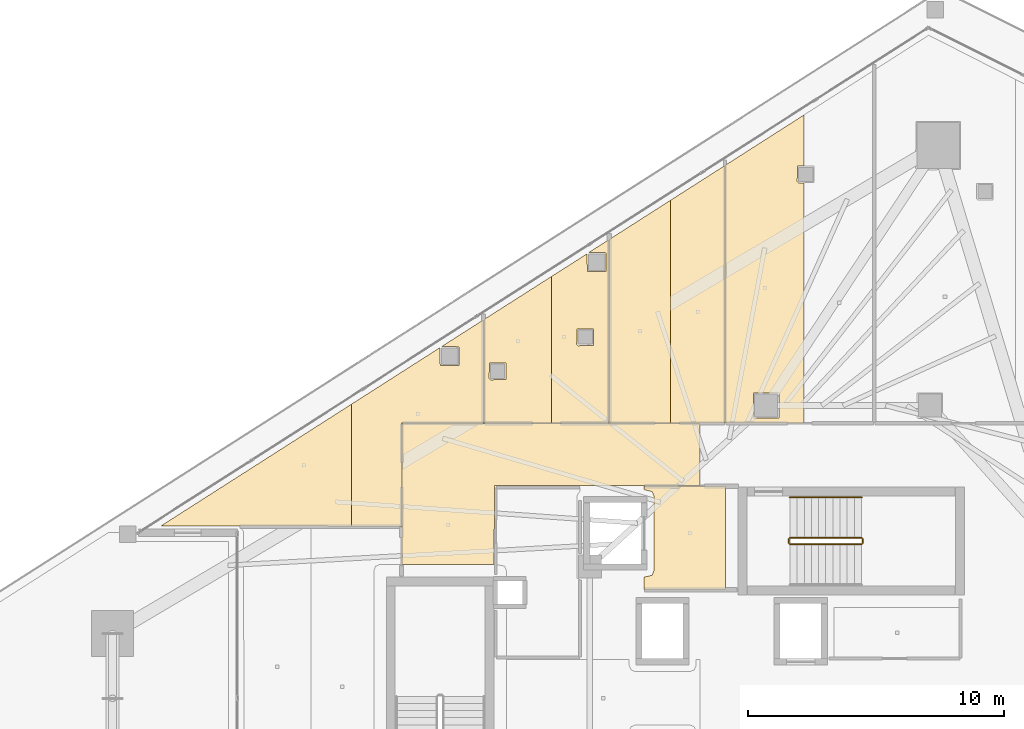
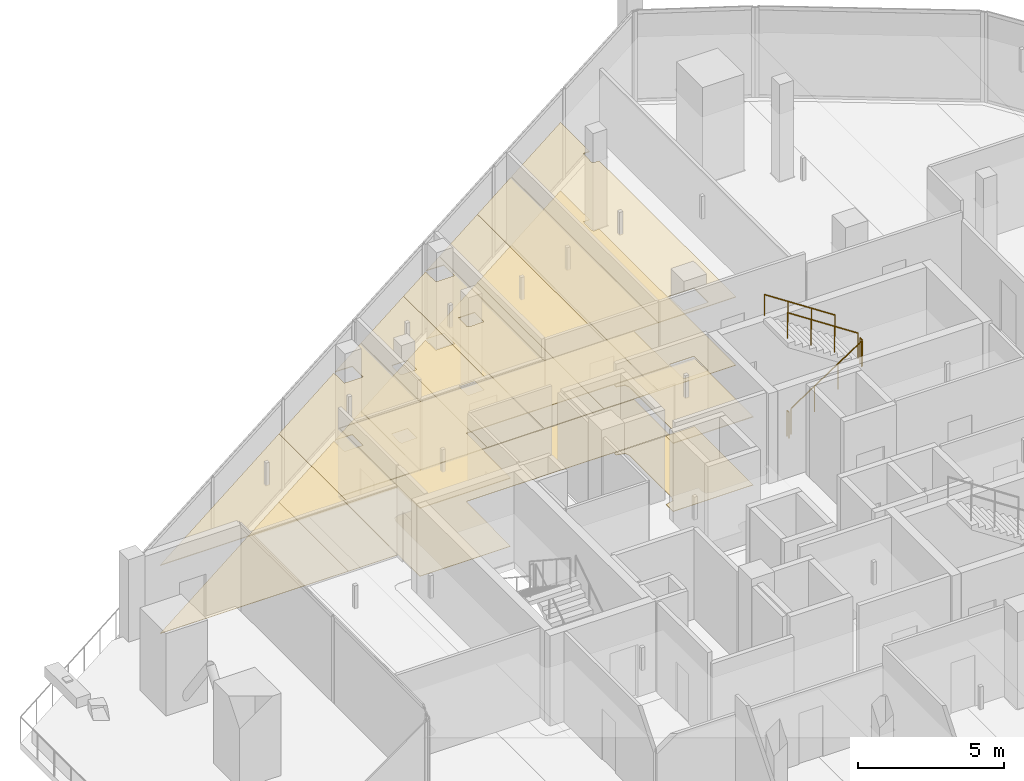
# One storey, part 31 of 32: 18 coverings, 5 railings.
"""IFC4 building model written with IfcOpenShell, lengths in metres."""

from ifc_helpers import new_model, si_unit, direction, frame, origin, origin_2d, place, context, subcontext, project, spatial, polyline, circle, outline, extrude, material, layer, layer_set, type_object, element, save


model = new_model("IFC4")

# Units and contexts
model_context = context("Model", 3, precision=1e-05, world=origin(), true_north=direction((0.0, 1.0)))
body_context = subcontext(model_context, "Body", "Model", "MODEL_VIEW")
ifc_project = project(units=[si_unit("LENGTHUNIT", "METRE"), si_unit("AREAUNIT", "SQUARE_METRE"), si_unit("VOLUMEUNIT", "CUBIC_METRE"), si_unit("PLANEANGLEUNIT", "RADIAN"), si_unit("MASSUNIT", "GRAM", prefix="KILO")], contexts=[model_context])

# Site, building, storey
site_placement = place(None, origin())
site = spatial("IfcSite", under=ifc_project, at=site_placement, CompositionType="ELEMENT")
building_placement = place(site_placement, origin())
building = spatial("IfcBuilding", under=site, at=building_placement, Name="Qorvath Tower", CompositionType="ELEMENT")
storey_placement = place(building_placement, frame((0.0, 0.0, 233.39990234375)))
storey = spatial("IfcBuildingStorey", under=building, at=storey_placement, Name="L54", CompositionType="ELEMENT", Elevation=233.39990234375)

# Coverings
ifc_material_1 = material(Name="Acoustic mineral fibre ceiling tile", Category="gypsum")
ifc_layer_1 = layer(ifc_material_1, 0.030029296875)
ifc_layer_set_1 = layer_set([ifc_layer_1], Name="COV-CEIL")
covering_type_1 = type_object("IfcCoveringType", Name="COV-CEIL", PredefinedType="CEILING", material=ifc_layer_set_1)
covering_1_placement = place(storey_placement, frame((0.0, 0.0, 2.85009765625)))
element("IfcCovering", 1, at=covering_1_placement, inside=storey, type_object=covering_type_1, Name="L54 Suspended Acoustic Ceiling 001", PredefinedType="CEILING", context=body_context, shape_type="SweptSolid", body=[
    extrude(outline(polyline([(-25.18994140625, 4.2548828125), (-25.18994140625, 8.294921875), (-28.375, 8.294921875), (-28.375, 8.159912109375), (-28.063232421875, 8.086669921875), (-27.989990234375, 7.909912109375), (-27.989990234375, 4.989990234375), (-28.063232421875, 4.813232421875), (-28.375, 4.739990234375), (-28.375, 4.2548828125), (-25.18994140625, 4.2548828125)])), origin(), (0.0, 0.0, 1.0), 0.030029296875),
])
covering_2_placement = place(storey_placement, frame((0.0, 0.0, 2.85009765625)))
element("IfcCovering", 2, at=covering_2_placement, inside=storey, type_object=covering_type_1, Name="L54 Suspended Acoustic Ceiling 008", PredefinedType="CEILING", context=body_context, shape_type="SweptSolid", body=[
    extrude(outline(polyline([(-26.183349609375, 8.324951171875), (-26.183349609375, 10.7451171875), (-37.844970703125, 10.7451171875), (-37.844970703125, 5.239990234375), (-34.2509765625, 5.239990234375), (-34.219970703125, 8.324951171875), (-26.183349609375, 8.324951171875)])), origin(), (0.0, 0.0, 1.0), 0.030029296875),
])
covering_3_placement = place(storey_placement, frame((0.0, 0.0, 2.85009765625)))
element("IfcCovering", 3, at=covering_3_placement, inside=storey, type_object=covering_type_1, Name="L54 Suspended Acoustic Ceiling 010", PredefinedType="CEILING", context=body_context, shape_type="SweptSolid", body=[
    extrude(outline(polyline([(-31.98974609375, 10.762939453125), (-31.98974609375, 16.50537109375), (-34.64501953125, 14.8134765625), (-34.64501953125, 10.762939453125), (-31.98974609375, 10.762939453125)]), holes=[polyline([(-34.439208984375, 12.517578125), (-34.421630859375, 13.10986328125), (-33.786865234375, 13.10986328125), (-33.786865234375, 12.47509765625), (-34.379150390625, 12.45751953125), (-34.439208984375, 12.517578125)])]), origin(), (0.0, 0.0, 1.0), 0.030029296875),
])
covering_4_placement = place(storey_placement, frame((0.0, 0.0, 2.85009765625)))
element("IfcCovering", 4, at=covering_4_placement, inside=storey, type_object=covering_type_1, Name="L54 Suspended Acoustic Ceiling 011", PredefinedType="CEILING", context=body_context, shape_type="SweptSolid", body=[
    extrude(outline(polyline([(-30.60986328125, 17.384521484375), (-31.98974609375, 16.50537109375), (-31.98974609375, 10.762939453125), (-29.743896484375, 10.762939453125), (-29.743896484375, 17.94580078125), (-30.528076171875, 17.444580078125), (-29.857421875, 17.427001953125), (-29.857421875, 16.692138671875), (-30.59228515625, 16.692138671875), (-30.60986328125, 17.384521484375)]), holes=[polyline([(-31.01220703125, 13.849365234375), (-30.99462890625, 14.441650390625), (-30.35986328125, 14.441650390625), (-30.35986328125, 13.806884765625), (-30.9521484375, 13.789306640625), (-31.01220703125, 13.849365234375)])]), origin(), (0.0, 0.0, 1.0), 0.030029296875),
])
covering_5_placement = place(storey_placement, frame((0.0, 0.0, 2.85009765625)))
element("IfcCovering", 5, at=covering_5_placement, inside=storey, type_object=covering_type_1, Name="L54 Suspended Acoustic Ceiling 012", PredefinedType="CEILING", context=body_context, shape_type="SweptSolid", body=[
    extrude(outline(polyline([(-29.725830078125, 10.762939453125), (-27.346435546875, 10.762939453125), (-27.346435546875, 19.47802734375), (-29.725830078125, 17.95751953125), (-29.725830078125, 10.762939453125)])), origin(), (0.0, 0.0, 1.0), 0.030029296875),
])
covering_6_placement = place(storey_placement, frame((0.0, 0.0, 2.85009765625)))
element("IfcCovering", 6, at=covering_6_placement, inside=storey, type_object=covering_type_1, Name="L54 Suspended Acoustic Ceiling 013", PredefinedType="CEILING", context=body_context, shape_type="SweptSolid", body=[
    extrude(outline(polyline([(-27.346435546875, 19.47802734375), (-27.346435546875, 10.762939453125), (-25.218017578125, 10.762939453125), (-25.218017578125, 20.838623046875), (-27.346435546875, 19.47802734375)])), origin(), (0.0, 0.0, 1.0), 0.030029296875),
])
covering_7_placement = place(storey_placement, frame((0.0, 0.0, 2.85009765625)))
element("IfcCovering", 7, at=covering_7_placement, inside=storey, type_object=covering_type_1, Name="L54 Suspended Acoustic Ceiling 014", PredefinedType="CEILING", context=body_context, shape_type="SweptSolid", body=[
    extrude(outline(polyline([(-25.199951171875, 10.762939453125), (-22.1181640625, 10.762939453125), (-22.1181640625, 20.166015625), (-22.328125, 20.159912109375), (-22.38818359375, 20.219970703125), (-22.37060546875, 20.812255859375), (-22.1181640625, 20.812255859375), (-22.1181640625, 22.81982421875), (-25.199951171875, 20.85009765625), (-25.199951171875, 10.762939453125)]), holes=[polyline([(-24.092529296875, 10.95751953125), (-24.092529296875, 11.9423828125), (-23.107666015625, 11.9423828125), (-23.107666015625, 10.95751953125), (-24.092529296875, 10.95751953125)])]), origin(), (0.0, 0.0, 1.0), 0.030029296875),
])
covering_8_placement = place(storey_placement, frame((0.0, 0.0, 2.85009765625)))
element("IfcCovering", 8, at=covering_8_placement, inside=storey, type_object=covering_type_1, Name="L54 Suspended Acoustic Ceiling 041", PredefinedType="CEILING", context=body_context, shape_type="SweptSolid", body=[
    extrude(outline(polyline([(-39.811767578125, 6.729736328125), (-39.811767578125, 11.51123046875), (-47.28955078125, 6.73193359375), (-39.811767578125, 6.729736328125)])), origin(), (0.0, 0.0, 1.0), 0.030029296875),
])
covering_9_placement = place(storey_placement, frame((0.0, 0.0, 2.85009765625)))
element("IfcCovering", 9, at=covering_9_placement, inside=storey, type_object=covering_type_1, Name="L54 Suspended Acoustic Ceiling 042", PredefinedType="CEILING", context=body_context, shape_type="SweptSolid", body=[
    extrude(outline(polyline([(-36.361328125, 13.716552734375), (-39.811767578125, 11.51123046875), (-39.811767578125, 6.729736328125), (-37.863037109375, 6.729248046875), (-37.861572265625, 10.761474609375), (-34.6630859375, 10.762939453125), (-34.6630859375, 14.802001953125), (-36.283935546875, 13.765869140625), (-35.61328125, 13.748291015625), (-35.61328125, 13.013427734375), (-36.34814453125, 13.013427734375), (-36.361328125, 13.716552734375)])), origin(), (0.0, 0.0, 1.0), 0.030029296875),
])
ifc_material_2 = material(Name="Low-VOC modular carpet tile", Category="textile")
ifc_layer_2 = layer(ifc_material_2, 0.014892578125)
ifc_layer_set_2 = layer_set([ifc_layer_2], Name="COV-FLOOR-CPT")
covering_type_2 = type_object("IfcCoveringType", Name="COV-FLOOR-CPT", PredefinedType="FLOORING", material=ifc_layer_set_2)
covering_10_placement = place(storey_placement, origin())
element("IfcCovering", 10, at=covering_10_placement, inside=storey, type_object=covering_type_2, Name="L54 Floor Finish 010", PredefinedType="FLOORING", context=body_context, shape_type="SweptSolid", body=[
    extrude(outline(polyline([(-31.98974609375, 10.762939453125), (-31.98974609375, 16.50537109375), (-34.64501953125, 14.8134765625), (-34.64501953125, 10.762939453125), (-31.98974609375, 10.762939453125)]), holes=[polyline([(-34.439208984375, 12.517578125), (-34.421630859375, 13.10986328125), (-33.786865234375, 13.10986328125), (-33.786865234375, 12.47509765625), (-34.379150390625, 12.45751953125), (-34.439208984375, 12.517578125)])]), origin(), (0.0, 0.0, 1.0), 0.01513671875),
])
covering_11_placement = place(storey_placement, origin())
element("IfcCovering", 11, at=covering_11_placement, inside=storey, type_object=covering_type_2, Name="L54 Floor Finish 011", PredefinedType="FLOORING", context=body_context, shape_type="SweptSolid", body=[
    extrude(outline(polyline([(-30.60986328125, 17.384521484375), (-31.98974609375, 16.50537109375), (-31.98974609375, 10.762939453125), (-29.743896484375, 10.762939453125), (-29.743896484375, 17.94580078125), (-30.528076171875, 17.444580078125), (-29.857421875, 17.427001953125), (-29.857421875, 16.692138671875), (-30.59228515625, 16.692138671875), (-30.60986328125, 17.384521484375)]), holes=[polyline([(-31.01220703125, 13.849365234375), (-30.99462890625, 14.441650390625), (-30.35986328125, 14.441650390625), (-30.35986328125, 13.806884765625), (-30.9521484375, 13.789306640625), (-31.01220703125, 13.849365234375)])]), origin(), (0.0, 0.0, 1.0), 0.01513671875),
])
covering_12_placement = place(storey_placement, origin())
element("IfcCovering", 12, at=covering_12_placement, inside=storey, type_object=covering_type_2, Name="L54 Floor Finish 012", PredefinedType="FLOORING", context=body_context, shape_type="SweptSolid", body=[
    extrude(outline(polyline([(-29.725830078125, 10.762939453125), (-27.346435546875, 10.762939453125), (-27.346435546875, 19.47802734375), (-29.725830078125, 17.95751953125), (-29.725830078125, 10.762939453125)])), origin(), (0.0, 0.0, 1.0), 0.01513671875),
])
covering_13_placement = place(storey_placement, origin())
element("IfcCovering", 13, at=covering_13_placement, inside=storey, type_object=covering_type_2, Name="L54 Floor Finish 013", PredefinedType="FLOORING", context=body_context, shape_type="SweptSolid", body=[
    extrude(outline(polyline([(-27.346435546875, 19.47802734375), (-27.346435546875, 10.762939453125), (-25.218017578125, 10.762939453125), (-25.218017578125, 20.838623046875), (-27.346435546875, 19.47802734375)])), origin(), (0.0, 0.0, 1.0), 0.01513671875),
])
covering_14_placement = place(storey_placement, origin())
element("IfcCovering", 14, at=covering_14_placement, inside=storey, type_object=covering_type_2, Name="L54 Floor Finish 014", PredefinedType="FLOORING", context=body_context, shape_type="SweptSolid", body=[
    extrude(outline(polyline([(-25.199951171875, 10.762939453125), (-22.1181640625, 10.762939453125), (-22.1181640625, 20.166015625), (-22.328125, 20.159912109375), (-22.38818359375, 20.219970703125), (-22.37060546875, 20.812255859375), (-22.1181640625, 20.812255859375), (-22.1181640625, 22.81982421875), (-25.199951171875, 20.85009765625), (-25.199951171875, 10.762939453125)]), holes=[polyline([(-24.092529296875, 10.95751953125), (-24.092529296875, 11.9423828125), (-23.107666015625, 11.9423828125), (-23.107666015625, 10.95751953125), (-24.092529296875, 10.95751953125)])]), origin(), (0.0, 0.0, 1.0), 0.01513671875),
])
covering_15_placement = place(storey_placement, origin())
element("IfcCovering", 15, at=covering_15_placement, inside=storey, type_object=covering_type_2, Name="L54 Floor Finish 041", PredefinedType="FLOORING", context=body_context, shape_type="SweptSolid", body=[
    extrude(outline(polyline([(-39.811767578125, 6.729736328125), (-39.811767578125, 11.51123046875), (-47.28955078125, 6.73193359375), (-39.811767578125, 6.729736328125)])), origin(), (0.0, 0.0, 1.0), 0.01513671875),
])
covering_16_placement = place(storey_placement, origin())
element("IfcCovering", 16, at=covering_16_placement, inside=storey, type_object=covering_type_2, Name="L54 Floor Finish 042", PredefinedType="FLOORING", context=body_context, shape_type="SweptSolid", body=[
    extrude(outline(polyline([(-36.361328125, 13.716552734375), (-39.811767578125, 11.51123046875), (-39.811767578125, 6.729736328125), (-37.863037109375, 6.729248046875), (-37.861572265625, 10.761474609375), (-34.6630859375, 10.762939453125), (-34.6630859375, 14.802001953125), (-36.283935546875, 13.765869140625), (-35.61328125, 13.748291015625), (-35.61328125, 13.013427734375), (-36.34814453125, 13.013427734375), (-36.361328125, 13.716552734375)])), origin(), (0.0, 0.0, 1.0), 0.01513671875),
])
ifc_material_3 = material(Name="Polished epoxy terrazzo flooring", Category="concrete")
ifc_layer_3 = layer(ifc_material_3, 0.02001953125)
ifc_layer_set_3 = layer_set([ifc_layer_3], Name="COV-FLOOR-TRZ")
covering_type_3 = type_object("IfcCoveringType", Name="COV-FLOOR-TRZ", PredefinedType="FLOORING", material=ifc_layer_set_3)
covering_17_placement = place(storey_placement, origin())
element("IfcCovering", 17, at=covering_17_placement, inside=storey, type_object=covering_type_3, Name="L54 Floor Finish 001", PredefinedType="FLOORING", context=body_context, shape_type="SweptSolid", body=[
    extrude(outline(polyline([(-25.18994140625, 4.2548828125), (-25.18994140625, 8.294921875), (-28.375, 8.294921875), (-28.375, 8.159912109375), (-28.063232421875, 8.086669921875), (-27.989990234375, 7.909912109375), (-27.989990234375, 4.989990234375), (-28.063232421875, 4.813232421875), (-28.375, 4.739990234375), (-28.375, 4.2548828125), (-25.18994140625, 4.2548828125)])), origin(), (0.0, 0.0, 1.0), 0.01513671875),
])
covering_18_placement = place(storey_placement, origin())
element("IfcCovering", 18, at=covering_18_placement, inside=storey, type_object=covering_type_3, Name="L54 Floor Finish 008", PredefinedType="FLOORING", context=body_context, shape_type="SweptSolid", body=[
    extrude(outline(polyline([(-26.183349609375, 8.324951171875), (-26.183349609375, 10.7451171875), (-37.844970703125, 10.7451171875), (-37.844970703125, 5.239990234375), (-34.2509765625, 5.239990234375), (-34.219970703125, 8.324951171875), (-26.183349609375, 8.324951171875)])), origin(), (0.0, 0.0, 1.0), 0.01513671875),
])

# Railings
ifc_material_4 = material(Name="Painted galvanised steel", Category="steel")
railing_type_1 = type_object("IfcRailingType", Name="RL-STR-GRD", PredefinedType="GUARDRAIL", material=ifc_material_4)
railing_1_placement = place(storey_placement, frame((-22.669921875, 6.030029296875, 0.18408203125)))
element("IfcRailing", 19, at=railing_1_placement, inside=storey, type_object=railing_type_1, Name="L54 TS1 stair guard 1", PredefinedType="GUARDRAIL", context=body_context, shape_type="SweptSolid", body=[
    extrude(circle(Radius=0.02392578125, at=origin_2d()), frame((0.0, 0.0, 1.076171875), z_axis=(0.835542071712, 0.0, 0.549426470421), x_axis=(0.0, 1.0, 0.0)), (0.0, 0.0, 1.0), 3.350830078125),
    extrude(circle(Radius=0.02099609375, at=origin_2d()), origin(), (0.0, 0.0, 1.0), 1.052001953125),
    extrude(circle(Radius=0.02099609375, at=origin_2d()), frame((0.933349609375, 0.0, 0.61376953125)), (0.0, 0.0, 1.0), 1.052001953125),
    extrude(circle(Radius=0.02099609375, at=origin_2d()), frame((1.866455078125, 0.0, 1.227294921875)), (0.0, 0.0, 1.0), 1.052001953125),
    extrude(circle(Radius=0.02099609375, at=origin_2d()), frame((2.7998046875, 0.0, 1.841064453125)), (0.0, 0.0, 1.0), 1.052001953125),
])
railing_2_placement = place(storey_placement, frame((-19.820068359375, 6.080078125, 2.025146484375)))
element("IfcRailing", 20, at=railing_2_placement, inside=storey, type_object=railing_type_1, Name="L54 TS1 stair guard 2", PredefinedType="GUARDRAIL", context=body_context, shape_type="SweptSolid", body=[
    extrude(circle(Radius=0.02392578125, at=origin_2d()), frame((0.0, 0.0, 1.076171875), z_axis=(0.0, 1.0, 0.0), x_axis=(-1.0, 0.0, 0.0)), (0.0, 0.0, 1.0), 0.14990234375),
    extrude(circle(Radius=0.02099609375, at=origin_2d()), origin(), (0.0, 0.0, 1.0), 1.052001953125),
    extrude(circle(Radius=0.02099609375, at=origin_2d()), frame((0.0, 0.14990234375, 0.0)), (0.0, 0.0, 1.0), 1.052001953125),
])
railing_3_placement = place(storey_placement, frame((-19.8701171875, 6.280029296875, 2.209228515625)))
element("IfcRailing", 21, at=railing_3_placement, inside=storey, type_object=railing_type_1, Name="L54 TS1 stair guard 3", PredefinedType="GUARDRAIL", context=body_context, shape_type="SweptSolid", body=[
    extrude(circle(Radius=0.02392578125, at=origin_2d()), frame((0.0, 0.0, 1.076171875), z_axis=(-0.835575518608, 0.0, 0.549375602573), x_axis=(0.0, -1.0, 0.0)), (0.0, 0.0, 1.0), 3.350830078125),
    extrude(circle(Radius=0.02099609375, at=origin_2d()), origin(), (0.0, 0.0, 1.0), 1.052001953125),
    extrude(circle(Radius=0.02099609375, at=origin_2d()), frame((-0.933349609375, 0.0, 0.613525390625)), (0.0, 0.0, 1.0), 1.052001953125),
    extrude(circle(Radius=0.02099609375, at=origin_2d()), frame((-1.866455078125, 0.0, 1.227294921875)), (0.0, 0.0, 1.0), 1.052001953125),
    extrude(circle(Radius=0.02099609375, at=origin_2d()), frame((-2.7998046875, 0.0, 1.8408203125)), (0.0, 0.0, 1.0), 1.052001953125),
])
railing_4_placement = place(storey_placement, frame((-22.719970703125, 6.080078125, 0.0)))
element("IfcRailing", 22, at=railing_4_placement, inside=storey, type_object=railing_type_1, Name="L54 TS1 stair guard 4", PredefinedType="GUARDRAIL", context=body_context, shape_type="SweptSolid", body=[
    extrude(circle(Radius=0.02392578125, at=origin_2d()), frame((0.0, 0.0, 1.076171875), z_axis=(0.0, 1.0, 0.0), x_axis=(-1.0, 0.0, 0.0)), (0.0, 0.0, 1.0), 0.14990234375),
    extrude(circle(Radius=0.02099609375, at=origin_2d()), origin(), (0.0, 0.0, 1.0), 1.052001953125),
    extrude(circle(Radius=0.02099609375, at=origin_2d()), frame((0.0, 0.14990234375, 0.0)), (0.0, 0.0, 1.0), 1.052001953125),
])
ifc_material_5 = material(Name="Brushed stainless steel AISI 304", Category="steel")
railing_type_2 = type_object("IfcRailingType", Name="RL-STR-HND", PredefinedType="HANDRAIL", material=ifc_material_5)
railing_5_placement = place(storey_placement, frame((-19.8701171875, 7.860107421875, 2.209228515625)))
element("IfcRailing", 23, at=railing_5_placement, inside=storey, type_object=railing_type_2, Name="L54 TS1 stair handrail 2", PredefinedType="HANDRAIL", context=body_context, shape_type="SweptSolid", body=[
    extrude(circle(Radius=0.02392578125, at=origin_2d()), frame((0.0, 0.0, 0.8759765625), z_axis=(-0.835575518608, 0.0, 0.549375602573), x_axis=(0.0, -1.0, 0.0)), (0.0, 0.0, 1.0), 3.350830078125),
    extrude(circle(Radius=0.02099609375, at=origin_2d()), origin(), (0.0, 0.0, 1.0), 0.851806640625),
    extrude(circle(Radius=0.02099609375, at=origin_2d()), frame((-0.933349609375, 0.0, 0.613525390625)), (0.0, 0.0, 1.0), 0.851806640625),
    extrude(circle(Radius=0.02099609375, at=origin_2d()), frame((-1.866455078125, 0.0, 1.227294921875)), (0.0, 0.0, 1.0), 0.851806640625),
    extrude(circle(Radius=0.02099609375, at=origin_2d()), frame((-2.7998046875, 0.0, 1.8408203125)), (0.0, 0.0, 1.0), 0.851806640625),
])

save(model, "model.ifc")
